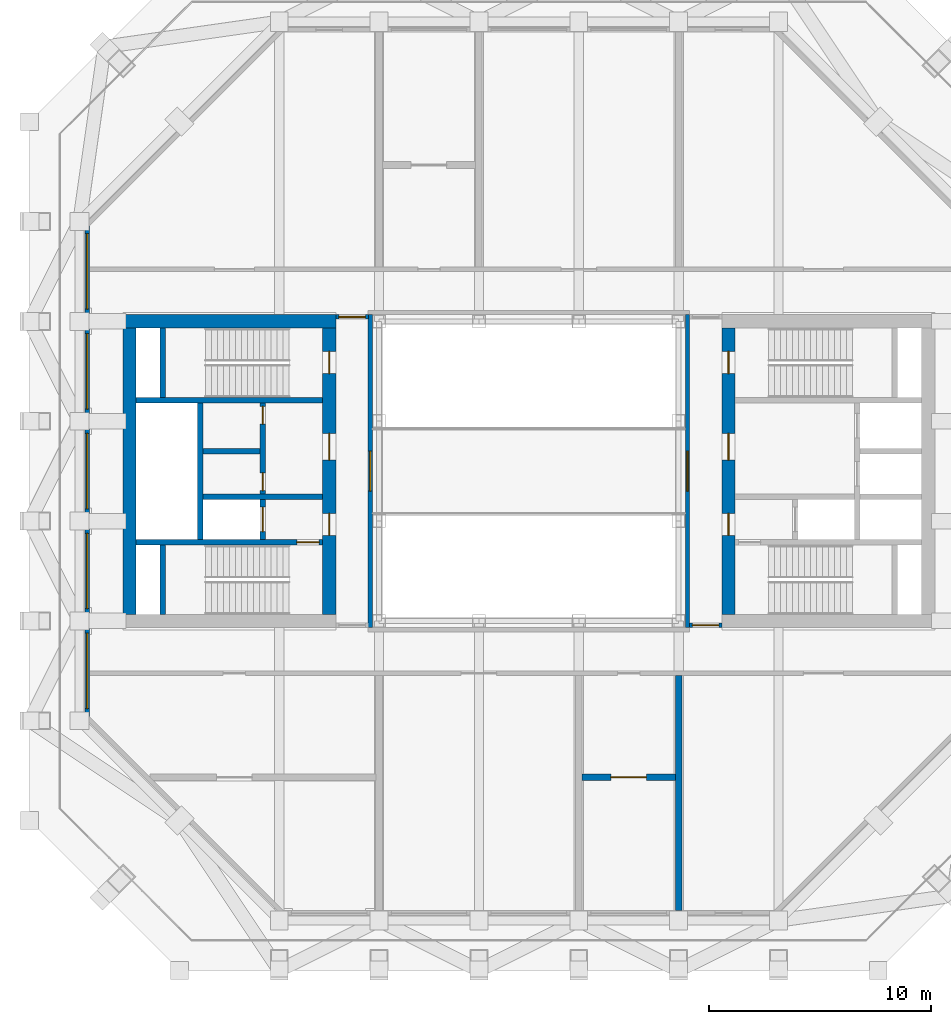
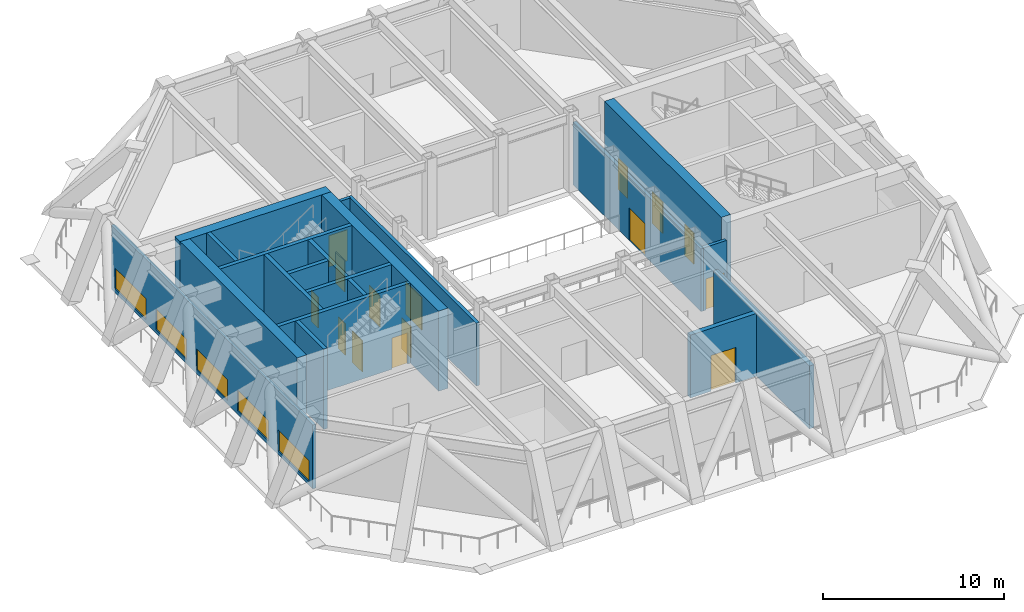
# One storey, part 3 of 8: 19 walls, 15 doors, 5 windows, 20 openings.
"""IFC4 building model written with IfcOpenShell, lengths in metres."""

import ifcopenshell
import ifcopenshell.guid

model = None  # the IFC model being written
_history = None  # IfcOwnerHistory: only IFC2X3 demands one
_inside = {}  # id of a spatial element -> (the spatial element, [elements in it])
_under = {}  # id of a project, library or spatial element -> (it, [spatial elements below it])
_declared = {}  # id of a project -> (the project, [libraries it declares])
_typed = {}  # id of a type object -> (the type object, [elements of that type])
_made_of = {}  # id of a material, layer set ... -> (it, [elements and type objects made of it])


def new_model(schema):
    """Start an empty IFC model of exactly this schema.

    Asked for "IFC4X3", IfcOpenShell would pick the latest addendum, in which some entities
    have other attributes; the version numbers below select the first issue.
    IFC2X3 requires an IfcOwnerHistory on every rooted entity: one is made here for all.
    """
    global model, _history
    if schema == "IFC4X3":
        model = ifcopenshell.file(schema_version=(4, 3, 0, 0))
    else:
        model = ifcopenshell.file(schema=schema)
    _inside.clear()
    _under.clear()
    _declared.clear()
    _typed.clear()
    _made_of.clear()
    _history = None
    if model.schema == "IFC2X3":
        org = make("IfcOrganization", Name="unknown")
        user = make(
            "IfcPersonAndOrganization",
            ThePerson=make("IfcPerson", FamilyName="unknown"),
            TheOrganization=org,
        )
        app = make(
            "IfcApplication",
            ApplicationDeveloper=org,
            Version="unknown",
            ApplicationFullName="unknown",
            ApplicationIdentifier="unknown",
        )
        _history = make(
            "IfcOwnerHistory",
            OwningUser=user,
            OwningApplication=app,
            ChangeAction="ADDED",
            CreationDate=0,
        )
    return model


def make(cls, **values):
    """One entity of the class cls with the attributes given. An attribute that is None is left unset."""
    return model.create_entity(
        cls, **{name: value for name, value in values.items() if value is not None}
    )


def rooted(cls, **values):
    """An entity with a GlobalId (a new one), such as an element, a storey or a relation."""
    return make(cls, GlobalId=ifcopenshell.guid.new(), OwnerHistory=_history, **values)


def si_unit(unit_type, name, prefix=None):
    """IfcSIUnit, for example si_unit("LENGTHUNIT", "METRE", prefix="MILLI")."""
    return make("IfcSIUnit", UnitType=unit_type, Prefix=prefix, Name=name)


def assignment(units):
    """IfcUnitAssignment: the units of a project."""
    return None if units is None else make("IfcUnitAssignment", Units=units)


def point(xyz):
    """IfcCartesianPoint."""
    return None if xyz is None else make("IfcCartesianPoint", Coordinates=xyz)


def direction(xyz):
    """IfcDirection."""
    return None if xyz is None else make("IfcDirection", DirectionRatios=xyz)


def frame(location, z_axis=None, x_axis=None):
    """IfcAxis2Placement3D, a coordinate frame: its origin and axes. An axis left out is left unset."""
    return make(
        "IfcAxis2Placement3D",
        Location=point(location),
        Axis=direction(z_axis),
        RefDirection=direction(x_axis),
    )


def frame_2d(location, x_axis=None):
    """IfcAxis2Placement2D, a coordinate frame in the plane: its origin and x axis."""
    return make(
        "IfcAxis2Placement2D", Location=point(location), RefDirection=direction(x_axis)
    )


def origin():
    """The frame at (0, 0, 0) with its axes left unset."""
    return frame((0.0, 0.0, 0.0))


def place(relative_to, where):
    """IfcLocalPlacement: puts the frame where relative to a parent placement (None: the world)."""
    return make(
        "IfcLocalPlacement", PlacementRelTo=relative_to, RelativePlacement=where
    )


def context(
    kind, dimensions, precision=None, world=None, true_north=None, identifier=None
):
    """IfcGeometricRepresentationContext, for example the 3D "Model" context."""
    return make(
        "IfcGeometricRepresentationContext",
        ContextIdentifier=identifier,
        ContextType=kind,
        CoordinateSpaceDimension=dimensions,
        Precision=precision,
        WorldCoordinateSystem=world,
        TrueNorth=true_north,
    )


def subcontext(parent, identifier, kind, view, scale=None):
    """IfcGeometricRepresentationSubContext, for example "Body" below "Model"."""
    return make(
        "IfcGeometricRepresentationSubContext",
        ContextIdentifier=identifier,
        ContextType=kind,
        ParentContext=parent,
        TargetScale=scale,
        TargetView=view,
    )


def project(units=None, contexts=None):
    """IfcProject with its units and contexts."""
    return rooted(
        "IfcProject",
        Name="project",
        RepresentationContexts=contexts,
        UnitsInContext=assignment(units),
    )


def spatial(cls, under=None, at=None, **own):
    """A site, building, storey or space (cls), placed at a placement, below another one or the project."""
    s = rooted(cls, ObjectPlacement=at, **own)
    if under is not None:
        _under.setdefault(under.id(), (under, []))[1].append(s)
    return s


def profile(cls, at=None, kind="AREA", **sizes):
    """A parametric profile (cls). Its sizes go by their IFC names, for example OverallWidth=200.0."""
    return make(cls, ProfileType=kind, Position=at, **sizes)


def rectangle(**sizes):
    """IfcRectangleProfileDef."""
    return profile("IfcRectangleProfileDef", **sizes)


def extrude(swept, where, along, depth):
    """IfcExtrudedAreaSolid: the profile swept, set in the frame where, extruded along a direction by depth."""
    return make(
        "IfcExtrudedAreaSolid",
        SweptArea=swept,
        Position=where,
        ExtrudedDirection=direction(along),
        Depth=depth,
    )


def shape(context_of_items, identifier, shape_type, items):
    """IfcShapeRepresentation: the items that make up one representation, for example the "Body"."""
    return make(
        "IfcShapeRepresentation",
        ContextOfItems=context_of_items,
        RepresentationIdentifier=identifier,
        RepresentationType=shape_type,
        Items=items,
    )


def material(Name=None, Category=None):
    """IfcMaterial."""
    return make("IfcMaterial", Name=Name, Category=Category)


def layer(
    of_material, thickness, ventilated=None, Name=None, Category=None, Priority=None
):
    """IfcMaterialLayer: one layer of a wall or slab, of a material (None: an air gap)."""
    return make(
        "IfcMaterialLayer",
        Material=of_material,
        LayerThickness=thickness,
        IsVentilated=ventilated,
        Name=Name,
        Category=Category,
        Priority=Priority,
    )


def layer_set(layers, Name=None):
    """IfcMaterialLayerSet."""
    return make("IfcMaterialLayerSet", MaterialLayers=layers, LayerSetName=Name)


def made_of(thing, what):
    """Note that an element or type object is made of a material, layer set ...; save() writes the relation."""
    if what is not None:
        _made_of.setdefault(what.id(), (what, []))[1].append(thing)
    return thing


def type_object(cls, material=None, **own):
    """A type object (cls), such as IfcWallType, which elements share."""
    return made_of(rooted(cls, **own), material)


def element(
    cls,
    number,
    at=None,
    inside=None,
    cuts=None,
    type_object=None,
    material=None,
    context=None,
    identifier="Body",
    shape_type=None,
    held_by="IfcProductDefinitionShape",
    body=None,
    shapes=None,
    **own,
):
    """One element of the class cls, such as IfcWall. Its Tag is "e" and its number.

    at: its placement. inside: the storey or other place that contains it. cuts: it is an
    opening in that element (IfcRelVoidsElement). A single representation is given by context,
    identifier, shape_type and body (its items); several are given by shapes. held_by: the class
    of the entity that holds the representations. save() writes the other relations.
    """
    e = rooted(cls, Tag="e%d" % number, ObjectPlacement=at, **own)
    if body is not None:
        shapes = [shape(context, identifier, shape_type, body)]
    if shapes is not None:
        e.Representation = make(held_by, Representations=shapes)
    if inside is not None:
        _inside.setdefault(inside.id(), (inside, []))[1].append(e)
    if cuts is not None:
        rooted(
            "IfcRelVoidsElement", RelatingBuildingElement=cuts, RelatedOpeningElement=e
        )
    if type_object is not None:
        _typed.setdefault(type_object.id(), (type_object, []))[1].append(e)
    return made_of(e, material)


def fill(opening, filler):
    """IfcRelFillsElement: the door or window that sits in an opening."""
    return rooted(
        "IfcRelFillsElement",
        RelatingOpeningElement=opening,
        RelatedBuildingElement=filler,
    )


def aggregate(whole, parts):
    """IfcRelAggregates: a whole, such as a stair, and the parts it consists of."""
    return rooted("IfcRelAggregates", RelatingObject=whole, RelatedObjects=parts)


def save(model, path):
    """Write the relations noted so far, then the file.

    IfcRelAggregates (storeys below a building ...), IfcRelContainedInSpatialStructure (elements
    in a storey), IfcRelDefinesByType, IfcRelAssociatesMaterial and IfcRelDeclares: one each for
    every whole, place, type object, material and project.
    """
    for whole, parts in _under.values():
        aggregate(whole, parts)
    for where, things in _inside.values():
        rooted(
            "IfcRelContainedInSpatialStructure",
            RelatedElements=things,
            RelatingStructure=where,
        )
    for kind, things in _typed.values():
        rooted("IfcRelDefinesByType", RelatedObjects=things, RelatingType=kind)
    for what, things in _made_of.values():
        rooted("IfcRelAssociatesMaterial", RelatedObjects=things, RelatingMaterial=what)
    for by, libraries in _declared.values():
        rooted("IfcRelDeclares", RelatingContext=by, RelatedDefinitions=libraries)
    model.write(path)


model = new_model("IFC4")

# Units and contexts
model_context = context("Model", 3, precision=1e-05, world=origin(), true_north=direction((0.0, 1.0)))
body_context = subcontext(model_context, "Body", "Model", "MODEL_VIEW")
ifc_project = project(units=[si_unit("LENGTHUNIT", "METRE"), si_unit("AREAUNIT", "SQUARE_METRE"), si_unit("VOLUMEUNIT", "CUBIC_METRE"), si_unit("PLANEANGLEUNIT", "RADIAN"), si_unit("MASSUNIT", "GRAM", prefix="KILO")], contexts=[model_context])

# Site, building, storey
site_placement = place(None, origin())
site = spatial("IfcSite", under=ifc_project, at=site_placement, CompositionType="ELEMENT")
building_placement = place(site_placement, origin())
building = spatial("IfcBuilding", under=site, at=building_placement, Name="Msasa Ring Tower", CompositionType="ELEMENT")
storey_placement = place(building_placement, frame((0.0, 0.0, 190.39990234375)))
storey = spatial("IfcBuildingStorey", under=building, at=storey_placement, Name="L50", CompositionType="ELEMENT", Elevation=190.39990234375)

# Wall, openings, doors
ifc_material_1 = material(Name="Concrete C60/75", Category="concrete")
ifc_layer_1 = layer(ifc_material_1, 0.60009765625)
ifc_layer_set_1 = layer_set([ifc_layer_1], Name="CW2 CORE WALL 600")
wall_type_1 = type_object("IfcWallType", Name="CW2 CORE WALL 600", PredefinedType="SHEAR", material=ifc_layer_set_1)
wall_1_placement = place(storey_placement, frame((9.0, -6.449951171875, 0.0), z_axis=(0.0, 0.0, 1.0), x_axis=(0.0, 1.0, 0.0)))
wall_1 = element("IfcWall", 1, at=wall_1_placement, inside=storey, type_object=wall_type_1, Name="E core wall W L50", PredefinedType="SHEAR", context=body_context, shape_type="SweptSolid", body=[
    extrude(rectangle(XDim=12.89990234375, YDim=0.60009765625, at=frame_2d((6.449951171875, 0.0))), origin(), (0.0, 0.0, 1.0), 5.400146484375),
])
opening_1_placement = place(wall_1_placement, frame((3.550048828125, 0.0, 0.0)))
opening_1 = element("IfcOpeningElement", 2, at=opening_1_placement, cuts=wall_1, Name="Opening L50-019", PredefinedType="OPENING", context=body_context, shape_type="SweptSolid", body=[
    extrude(rectangle(XDim=1.0, YDim=2.10009765625, at=frame_2d((0.5, 1.050048828125))), frame((0.0, 0.31005859375, 0.0), z_axis=(0.0, -1.0, 0.0), x_axis=(1.0, 0.0, 0.0)), (0.0, 0.0, 1.0), 0.6201171875),
])
opening_2_placement = place(wall_1_placement, frame((6.949951171875, 0.0, 0.0)))
opening_2 = element("IfcOpeningElement", 3, at=opening_2_placement, cuts=wall_1, Name="Opening L50-014", PredefinedType="OPENING", context=body_context, shape_type="SweptSolid", body=[
    extrude(rectangle(XDim=1.199951171875, YDim=2.10009765625, at=frame_2d((0.60009765625, 1.050048828125))), frame((0.0, 0.31005859375, 0.0), z_axis=(0.0, -1.0, 0.0), x_axis=(1.0, 0.0, 0.0)), (0.0, 0.0, 1.0), 0.6201171875),
])
opening_3_placement = place(wall_1_placement, frame((10.85009765625, 0.0, 0.0)))
opening_3 = element("IfcOpeningElement", 4, at=opening_3_placement, cuts=wall_1, Name="Opening L50-011", PredefinedType="OPENING", context=body_context, shape_type="SweptSolid", body=[
    extrude(rectangle(XDim=1.0, YDim=2.10009765625, at=frame_2d((0.5, 1.050048828125))), frame((0.0, 0.31005859375, 0.0), z_axis=(0.0, -1.0, 0.0), x_axis=(1.0, 0.0, 0.0)), (0.0, 0.0, 1.0), 0.6201171875),
])
ifc_material_2 = material(Name="Timber door leaf in a steel frame", Category="steel")
door_type_1 = type_object("IfcDoorType", Name="D4 LOBBY DOOR 1000x2100", OperationType="SINGLE_SWING_LEFT", PredefinedType="DOOR", material=ifc_material_2)
door_1_placement = place(opening_1_placement, origin())
door_1 = element("IfcDoor", 5, at=door_1_placement, inside=storey, type_object=door_type_1, Name="Door L50-EFFL", OperationType="SINGLE_SWING_LEFT", OverallHeight=2.10009765625, OverallWidth=1.0, PredefinedType="DOOR", context=body_context, shape_type="SweptSolid", body=[
    extrude(rectangle(XDim=1.0, YDim=2.10009765625, at=frame_2d((0.5, 1.050048828125))), frame((0.0, 0.02490234375, 0.0), z_axis=(0.0, -1.0, 0.0), x_axis=(1.0, 0.0, 0.0)), (0.0, 0.0, 1.0), 0.050048828125),
])
fill(opening_1, door_1)
ifc_material_3 = material(Name="Timber door leaf in a steel frame", Category="steel")
door_type_2 = type_object("IfcDoorType", Name="D5 WIDE LOBBY DOOR 1200x2100", OperationType="SINGLE_SWING_LEFT", PredefinedType="DOOR", material=ifc_material_3)
door_2_placement = place(opening_2_placement, origin())
door_2 = element("IfcDoor", 6, at=door_2_placement, inside=storey, type_object=door_type_2, Name="Door L50-ELL", OperationType="SINGLE_SWING_RIGHT", OverallHeight=2.10009765625, OverallWidth=1.199951171875, PredefinedType="DOOR", context=body_context, shape_type="SweptSolid", body=[
    extrude(rectangle(XDim=1.199951171875, YDim=2.10009765625, at=frame_2d((0.60009765625, 1.050048828125))), frame((0.0, 0.02490234375, 0.0), z_axis=(0.0, -1.0, 0.0), x_axis=(1.0, 0.0, 0.0)), (0.0, 0.0, 1.0), 0.050048828125),
])
fill(opening_2, door_2)
ifc_material_4 = material(Name="Timber door leaf in a steel frame", Category="steel")
door_type_3 = type_object("IfcDoorType", Name="D6 STAIR DOOR 1000x2100", OperationType="SINGLE_SWING_LEFT", PredefinedType="DOOR", material=ifc_material_4)
door_3_placement = place(opening_3_placement, origin())
door_3 = element("IfcDoor", 7, at=door_3_placement, inside=storey, type_object=door_type_3, Name="Door L50-ESTB", OperationType="SINGLE_SWING_RIGHT", OverallHeight=2.10009765625, OverallWidth=1.0, PredefinedType="DOOR", context=body_context, shape_type="SweptSolid", body=[
    extrude(rectangle(XDim=1.0, YDim=2.10009765625, at=frame_2d((0.5, 1.050048828125))), frame((0.0, 0.02490234375, 0.0), z_axis=(0.0, -1.0, 0.0), x_axis=(1.0, 0.0, 0.0)), (0.0, 0.0, 1.0), 0.050048828125),
])
fill(opening_3, door_3)

# Wall
wall_2_placement = place(storey_placement, frame((-8.699951171875, 6.75, 0.0), z_axis=(0.0, 0.0, 1.0), x_axis=(-1.0, 0.0, 0.0)))
element("IfcWall", 8, at=wall_2_placement, inside=storey, type_object=wall_type_1, Name="W core wall N L50", PredefinedType="SHEAR", context=body_context, shape_type="SweptSolid", body=[
    extrude(rectangle(XDim=9.60009765625, YDim=0.60009765625, at=frame_2d((4.800048828125, 0.0))), origin(), (0.0, 0.0, 1.0), 5.400146484375),
])

# Wall, openings, doors
wall_3_placement = place(storey_placement, frame((-9.0, -6.449951171875, 0.0), z_axis=(0.0, 0.0, 1.0), x_axis=(0.0, 1.0, 0.0)))
wall_3 = element("IfcWall", 9, at=wall_3_placement, inside=storey, type_object=wall_type_1, Name="W core wall W L50", PredefinedType="SHEAR", context=body_context, shape_type="SweptSolid", body=[
    extrude(rectangle(XDim=12.89990234375, YDim=0.60009765625, at=frame_2d((6.449951171875, 0.0))), origin(), (0.0, 0.0, 1.0), 5.400146484375),
])
opening_4_placement = place(wall_3_placement, frame((3.550048828125, 0.0, 0.0)))
opening_4 = element("IfcOpeningElement", 10, at=opening_4_placement, cuts=wall_3, Name="Opening L50-018", PredefinedType="OPENING", context=body_context, shape_type="SweptSolid", body=[
    extrude(rectangle(XDim=1.0, YDim=2.10009765625, at=frame_2d((0.5, 1.050048828125))), frame((0.0, 0.31005859375, 0.0), z_axis=(0.0, -1.0, 0.0), x_axis=(1.0, 0.0, 0.0)), (0.0, 0.0, 1.0), 0.6201171875),
])
opening_5_placement = place(wall_3_placement, frame((6.949951171875, 0.0, 0.0)))
opening_5 = element("IfcOpeningElement", 11, at=opening_5_placement, cuts=wall_3, Name="Opening L50-013", PredefinedType="OPENING", context=body_context, shape_type="SweptSolid", body=[
    extrude(rectangle(XDim=1.199951171875, YDim=2.10009765625, at=frame_2d((0.60009765625, 1.050048828125))), frame((0.0, 0.31005859375, 0.0), z_axis=(0.0, -1.0, 0.0), x_axis=(1.0, 0.0, 0.0)), (0.0, 0.0, 1.0), 0.6201171875),
])
opening_6_placement = place(wall_3_placement, frame((10.85009765625, 0.0, 0.0)))
opening_6 = element("IfcOpeningElement", 12, at=opening_6_placement, cuts=wall_3, Name="Opening L50-010", PredefinedType="OPENING", context=body_context, shape_type="SweptSolid", body=[
    extrude(rectangle(XDim=1.0, YDim=2.10009765625, at=frame_2d((0.5, 1.050048828125))), frame((0.0, 0.31005859375, 0.0), z_axis=(0.0, -1.0, 0.0), x_axis=(1.0, 0.0, 0.0)), (0.0, 0.0, 1.0), 0.6201171875),
])
door_4_placement = place(opening_4_placement, origin())
door_4 = element("IfcDoor", 13, at=door_4_placement, inside=storey, type_object=door_type_1, Name="Door L50-WFFL", OperationType="SINGLE_SWING_LEFT", OverallHeight=2.10009765625, OverallWidth=1.0, PredefinedType="DOOR", context=body_context, shape_type="SweptSolid", body=[
    extrude(rectangle(XDim=1.0, YDim=2.10009765625, at=frame_2d((0.5, 1.050048828125))), frame((0.0, 0.02490234375, 0.0), z_axis=(0.0, -1.0, 0.0), x_axis=(1.0, 0.0, 0.0)), (0.0, 0.0, 1.0), 0.050048828125),
])
fill(opening_4, door_4)
door_5_placement = place(opening_5_placement, origin())
door_5 = element("IfcDoor", 14, at=door_5_placement, inside=storey, type_object=door_type_2, Name="Door L50-WLL", OperationType="SINGLE_SWING_RIGHT", OverallHeight=2.10009765625, OverallWidth=1.199951171875, PredefinedType="DOOR", context=body_context, shape_type="SweptSolid", body=[
    extrude(rectangle(XDim=1.199951171875, YDim=2.10009765625, at=frame_2d((0.60009765625, 1.050048828125))), frame((0.0, 0.02490234375, 0.0), z_axis=(0.0, -1.0, 0.0), x_axis=(1.0, 0.0, 0.0)), (0.0, 0.0, 1.0), 0.050048828125),
])
fill(opening_5, door_5)
door_6_placement = place(opening_6_placement, origin())
door_6 = element("IfcDoor", 15, at=door_6_placement, inside=storey, type_object=door_type_3, Name="Door L50-WSTB", OperationType="SINGLE_SWING_RIGHT", OverallHeight=2.10009765625, OverallWidth=1.0, PredefinedType="DOOR", context=body_context, shape_type="SweptSolid", body=[
    extrude(rectangle(XDim=1.0, YDim=2.10009765625, at=frame_2d((0.5, 1.050048828125))), frame((0.0, 0.02490234375, 0.0), z_axis=(0.0, -1.0, 0.0), x_axis=(1.0, 0.0, 0.0)), (0.0, 0.0, 1.0), 0.050048828125),
])
fill(opening_6, door_6)

# Wall
wall_4_placement = place(storey_placement, frame((-18.0, -6.449951171875, 0.0), z_axis=(0.0, 0.0, 1.0), x_axis=(0.0, 1.0, 0.0)))
element("IfcWall", 16, at=wall_4_placement, inside=storey, type_object=wall_type_1, Name="W core wall E L50", PredefinedType="SHEAR", context=body_context, shape_type="SweptSolid", body=[
    extrude(rectangle(XDim=12.89990234375, YDim=0.60009765625, at=frame_2d((6.449951171875, 0.0))), origin(), (0.0, 0.0, 1.0), 5.400146484375),
])

# Wall, opening, door
ifc_material_5 = material(Name="Concrete C60/75", Category="concrete")
ifc_layer_2 = layer(ifc_material_5, 0.25)
ifc_layer_set_2 = layer_set([ifc_layer_2], Name="CW4 CORE INNER WALL 250")
wall_type_2 = type_object("IfcWallType", Name="CW4 CORE INNER WALL 250", PredefinedType="SHEAR", material=ifc_layer_set_2)
wall_5_placement = place(storey_placement, frame((-9.300048828125, -3.199951171875, 0.0), z_axis=(0.0, 0.0, 1.0), x_axis=(-1.0, 0.0, 0.0)))
wall_5 = element("IfcWall", 17, at=wall_5_placement, inside=storey, type_object=wall_type_2, Name="W core wall STAIRA L50", PredefinedType="SHEAR", context=body_context, shape_type="SweptSolid", body=[
    extrude(rectangle(XDim=8.39990234375, YDim=0.25, at=frame_2d((4.199951171875, 0.0))), origin(), (0.0, 0.0, 1.0), 5.400146484375),
])
opening_7_placement = place(wall_5_placement, frame((0.14990234375, 0.0, 0.0)))
opening_7 = element("IfcOpeningElement", 18, at=opening_7_placement, cuts=wall_5, Name="Opening L50-020", PredefinedType="OPENING", context=body_context, shape_type="SweptSolid", body=[
    extrude(rectangle(XDim=1.0, YDim=2.10009765625, at=frame_2d((0.5, 1.050048828125))), frame((0.0, 0.135009765625, 0.0), z_axis=(0.0, -1.0, 0.0), x_axis=(1.0, 0.0, 0.0)), (0.0, 0.0, 1.0), 0.27001953125),
])
door_7_placement = place(opening_7_placement, origin())
door_7 = element("IfcDoor", 19, at=door_7_placement, inside=storey, type_object=door_type_3, Name="Door L50-WSTA", OperationType="SINGLE_SWING_LEFT", OverallHeight=2.10009765625, OverallWidth=1.0, PredefinedType="DOOR", context=body_context, shape_type="SweptSolid", body=[
    extrude(rectangle(XDim=1.0, YDim=2.10009765625, at=frame_2d((0.5, 1.050048828125))), frame((0.0, 0.02490234375, 0.0), z_axis=(0.0, -1.0, 0.0), x_axis=(1.0, 0.0, 0.0)), (0.0, 0.0, 1.0), 0.050048828125),
])
fill(opening_7, door_7)

# Walls
wall_6_placement = place(storey_placement, frame((-9.300048828125, 3.199951171875, 0.0), z_axis=(0.0, 0.0, 1.0), x_axis=(-1.0, 0.0, 0.0)))
element("IfcWall", 20, at=wall_6_placement, inside=storey, type_object=wall_type_2, Name="W core wall STAIRB L50", PredefinedType="SHEAR", context=body_context, shape_type="SweptSolid", body=[
    extrude(rectangle(XDim=8.39990234375, YDim=0.25, at=frame_2d((4.199951171875, 0.0))), origin(), (0.0, 0.0, 1.0), 5.400146484375),
])
for number, where, z_axis, x_axis, name in (
    (21, (-16.5, -6.449951171875, 0.0), (0.0, 0.0, 1.0), (0.0, 1.0, 0.0), "W core wall RISERA L50"),
    (22, (-16.5, 3.324951171875, 0.0), (0.0, 0.0, 1.0), (0.0, 1.0, 0.0), "W core wall RISERB L50"),
):
    element("IfcWall", number, at=place(storey_placement, frame(where, z_axis=z_axis, x_axis=x_axis)), inside=storey, type_object=wall_type_2, Name=name, PredefinedType="SHEAR", context=body_context, shape_type="SweptSolid", body=[
        extrude(rectangle(XDim=3.125, YDim=0.25, at=frame_2d((1.5625, 0.0))), origin(), (0.0, 0.0, 1.0), 5.400146484375),
    ])
wall_7_placement = place(storey_placement, frame((-9.300048828125, -1.14990234375, 0.0), z_axis=(0.0, 0.0, 1.0), x_axis=(-1.0, 0.0, 0.0)))
element("IfcWall", 23, at=wall_7_placement, inside=storey, type_object=wall_type_2, Name="W core wall FFL L50", PredefinedType="SHEAR", context=body_context, shape_type="SweptSolid", body=[
    extrude(rectangle(XDim=5.375, YDim=0.25, at=frame_2d((2.6875, 0.0))), origin(), (0.0, 0.0, 1.0), 5.400146484375),
])

# Wall, openings, doors
wall_8_placement = place(storey_placement, frame((-12.0, -3.074951171875, 0.0), z_axis=(0.0, 0.0, 1.0), x_axis=(0.0, 1.0, 0.0)))
wall_8 = element("IfcWall", 24, at=wall_8_placement, inside=storey, type_object=wall_type_2, Name="W core wall LOBBY L50", PredefinedType="SHEAR", context=body_context, shape_type="SweptSolid", body=[
    extrude(rectangle(XDim=6.14990234375, YDim=0.25, at=frame_2d((3.074951171875, 0.0))), origin(), (0.0, 0.0, 1.0), 5.400146484375),
])
opening_8_placement = place(wall_8_placement, frame((2.199951171875, 0.0, 0.0)))
opening_8 = element("IfcOpeningElement", 25, at=opening_8_placement, cuts=wall_8, Name="Opening L50-017", PredefinedType="OPENING", context=body_context, shape_type="SweptSolid", body=[
    extrude(rectangle(XDim=0.800048828125, YDim=2.10009765625, at=frame_2d((0.39990234375, 1.050048828125))), frame((0.0, 0.135009765625, 0.0), z_axis=(0.0, -1.0, 0.0), x_axis=(1.0, 0.0, 0.0)), (0.0, 0.0, 1.0), 0.27001953125),
])
opening_9_placement = place(wall_8_placement, frame((5.199951171875, 0.0, 0.0)))
opening_9 = element("IfcOpeningElement", 26, at=opening_9_placement, cuts=wall_8, Name="Opening L50-012", PredefinedType="OPENING", context=body_context, shape_type="SweptSolid", body=[
    extrude(rectangle(XDim=0.800048828125, YDim=2.10009765625, at=frame_2d((0.39990234375, 1.050048828125))), frame((0.0, 0.135009765625, 0.0), z_axis=(0.0, -1.0, 0.0), x_axis=(1.0, 0.0, 0.0)), (0.0, 0.0, 1.0), 0.27001953125),
])
opening_10_placement = place(wall_8_placement, frame((0.35009765625, 0.0, 0.0)))
opening_10 = element("IfcOpeningElement", 27, at=opening_10_placement, cuts=wall_8, Name="Opening LD1", PredefinedType="OPENING", context=body_context, shape_type="SweptSolid", body=[
    extrude(rectangle(XDim=1.10009765625, YDim=2.10009765625, at=frame_2d((0.550048828125, 1.050048828125))), frame((0.0, 0.135009765625, 0.0), z_axis=(0.0, -1.0, 0.0), x_axis=(1.0, 0.0, 0.0)), (0.0, 0.0, 1.0), 0.27001953125),
])
ifc_material_6 = material(Name="Timber door leaf in a steel frame", Category="steel")
door_type_4 = type_object("IfcDoorType", Name="D9 NARROW SERVICE DOOR 800x2100", OperationType="SINGLE_SWING_LEFT", PredefinedType="DOOR", material=ifc_material_6)
door_8_placement = place(opening_8_placement, origin())
door_8 = element("IfcDoor", 28, at=door_8_placement, inside=storey, type_object=door_type_4, Name="Door L50-WR1", OperationType="SINGLE_SWING_LEFT", OverallHeight=2.10009765625, OverallWidth=0.800048828125, PredefinedType="DOOR", context=body_context, shape_type="SweptSolid", body=[
    extrude(rectangle(XDim=0.800048828125, YDim=2.10009765625, at=frame_2d((0.39990234375, 1.050048828125))), frame((0.0, 0.02490234375, 0.0), z_axis=(0.0, -1.0, 0.0), x_axis=(1.0, 0.0, 0.0)), (0.0, 0.0, 1.0), 0.050048828125),
])
fill(opening_8, door_8)
door_9_placement = place(opening_9_placement, origin())
door_9 = element("IfcDoor", 29, at=door_9_placement, inside=storey, type_object=door_type_4, Name="Door L50-WR2", OperationType="SINGLE_SWING_RIGHT", OverallHeight=2.10009765625, OverallWidth=0.800048828125, PredefinedType="DOOR", context=body_context, shape_type="SweptSolid", body=[
    extrude(rectangle(XDim=0.800048828125, YDim=2.10009765625, at=frame_2d((0.39990234375, 1.050048828125))), frame((0.0, 0.02490234375, 0.0), z_axis=(0.0, -1.0, 0.0), x_axis=(1.0, 0.0, 0.0)), (0.0, 0.0, 1.0), 0.050048828125),
])
fill(opening_9, door_9)
ifc_material_7 = material(Name="Stainless steel lift landing door", Category="steel")
door_type_5 = type_object("IfcDoorType", Name="LD1 LIFT LANDING DOOR 1100x2100", OperationType="DOUBLE_DOOR_SLIDING", PredefinedType="DOOR", material=ifc_material_7)
door_10_placement = place(opening_10_placement, origin())
door_10 = element("IfcDoor", 30, at=door_10_placement, inside=storey, type_object=door_type_5, Name="Lift landing door FL-W L50", OperationType="DOUBLE_DOOR_SLIDING", OverallHeight=2.10009765625, OverallWidth=1.10009765625, PredefinedType="DOOR", context=body_context, shape_type="SweptSolid", body=[
    extrude(rectangle(XDim=1.10009765625, YDim=2.10009765625, at=frame_2d((0.550048828125, 1.050048828125))), frame((0.0, 0.02490234375, 0.0), z_axis=(0.0, -1.0, 0.0), x_axis=(1.0, 0.0, 0.0)), (0.0, 0.0, 1.0), 0.050048828125),
])
fill(opening_10, door_10)

# Walls
wall_9_placement = place(storey_placement, frame((-14.800048828125, -3.074951171875, 0.0), z_axis=(0.0, 0.0, 1.0), x_axis=(0.0, 1.0, 0.0)))
element("IfcWall", 31, at=wall_9_placement, inside=storey, type_object=wall_type_2, Name="W core wall SHAFT L50", PredefinedType="SHEAR", context=body_context, shape_type="SweptSolid", body=[
    extrude(rectangle(XDim=6.14990234375, YDim=0.25, at=frame_2d((3.074951171875, 0.0))), origin(), (0.0, 0.0, 1.0), 5.400146484375),
])
wall_10_placement = place(storey_placement, frame((-12.125, 0.89990234375, 0.0), z_axis=(0.0, 0.0, 1.0), x_axis=(-1.0, 0.0, 0.0)))
element("IfcWall", 32, at=wall_10_placement, inside=storey, type_object=wall_type_2, Name="W core wall LIFT1 L50", PredefinedType="SHEAR", context=body_context, shape_type="SweptSolid", body=[
    extrude(rectangle(XDim=2.550048828125, YDim=0.25, at=frame_2d((1.27490234375, 0.0))), origin(), (0.0, 0.0, 1.0), 5.400146484375),
])

# Wall, openings, windows
ifc_material_8 = material(Name="Terracotta rainscreen on blockwork", Category="masonry")
ifc_layer_3 = layer(ifc_material_8, 0.199951171875)
ifc_layer_set_3 = layer_set([ifc_layer_3], Name="FW3 PLANT FLOOR WALL 200")
wall_type_3 = type_object("IfcWallType", Name="FW3 PLANT FLOOR WALL 200", PredefinedType="SOLIDWALL", material=ifc_layer_set_3)
wall_11_placement = place(storey_placement, frame((-19.89990234375, -11.10498046875, 0.0), z_axis=(0.0, 0.0, 1.0), x_axis=(0.0, 1.0, 0.0)))
wall_11 = element("IfcWall", 33, at=wall_11_placement, inside=storey, type_object=wall_type_3, Name="Plant floor wall W L50", PredefinedType="SOLIDWALL", context=body_context, shape_type="SweptSolid", body=[
    extrude(rectangle(XDim=22.2099609375, YDim=0.199951171875, at=frame_2d((11.10498046875, 0.0))), origin(), (0.0, 0.0, 1.0), 4.29931640625),
])
opening_11_placement = place(wall_11_placement, frame((0.405029296875, 0.0, 0.25)))
opening_11 = element("IfcOpeningElement", 34, at=opening_11_placement, cuts=wall_11, Name="Opening LV1", PredefinedType="OPENING", context=body_context, shape_type="SweptSolid", body=[
    extrude(rectangle(XDim=3.39990234375, YDim=1.39990234375, at=frame_2d((1.699951171875, 0.699951171875))), frame((0.0, 0.10986328125, 0.0), z_axis=(0.0, -1.0, 0.0), x_axis=(1.0, 0.0, 0.0)), (0.0, 0.0, 1.0), 0.219970703125),
])
opening_12_placement = place(wall_11_placement, frame((4.905029296875, 0.0, 0.25)))
opening_12 = element("IfcOpeningElement", 35, at=opening_12_placement, cuts=wall_11, Name="Opening LV1", PredefinedType="OPENING", context=body_context, shape_type="SweptSolid", body=[
    extrude(rectangle(XDim=3.39990234375, YDim=1.39990234375, at=frame_2d((1.699951171875, 0.699951171875))), frame((0.0, 0.10986328125, 0.0), z_axis=(0.0, -1.0, 0.0), x_axis=(1.0, 0.0, 0.0)), (0.0, 0.0, 1.0), 0.219970703125),
])
opening_13_placement = place(wall_11_placement, frame((9.405029296875, 0.0, 0.25)))
opening_13 = element("IfcOpeningElement", 36, at=opening_13_placement, cuts=wall_11, Name="Opening LV1", PredefinedType="OPENING", context=body_context, shape_type="SweptSolid", body=[
    extrude(rectangle(XDim=3.39990234375, YDim=1.39990234375, at=frame_2d((1.699951171875, 0.699951171875))), frame((0.0, 0.10986328125, 0.0), z_axis=(0.0, -1.0, 0.0), x_axis=(1.0, 0.0, 0.0)), (0.0, 0.0, 1.0), 0.219970703125),
])
opening_14_placement = place(wall_11_placement, frame((13.905029296875, 0.0, 0.25)))
opening_14 = element("IfcOpeningElement", 37, at=opening_14_placement, cuts=wall_11, Name="Opening LV1", PredefinedType="OPENING", context=body_context, shape_type="SweptSolid", body=[
    extrude(rectangle(XDim=3.39990234375, YDim=1.39990234375, at=frame_2d((1.699951171875, 0.699951171875))), frame((0.0, 0.10986328125, 0.0), z_axis=(0.0, -1.0, 0.0), x_axis=(1.0, 0.0, 0.0)), (0.0, 0.0, 1.0), 0.219970703125),
])
opening_15_placement = place(wall_11_placement, frame((18.405029296875, 0.0, 0.25)))
opening_15 = element("IfcOpeningElement", 38, at=opening_15_placement, cuts=wall_11, Name="Opening LV1", PredefinedType="OPENING", context=body_context, shape_type="SweptSolid", body=[
    extrude(rectangle(XDim=3.39990234375, YDim=1.39990234375, at=frame_2d((1.699951171875, 0.699951171875))), frame((0.0, 0.10986328125, 0.0), z_axis=(0.0, -1.0, 0.0), x_axis=(1.0, 0.0, 0.0)), (0.0, 0.0, 1.0), 0.219970703125),
])
ifc_material_9 = material(Name="Aluminium weather louvre", Category="aluminium")
window_type = type_object("IfcWindowType", Name="LV1 PLANT LOUVRE 3400x1400", PartitioningType="SINGLE_PANEL", PredefinedType="USERDEFINED", material=ifc_material_9)
window_1_placement = place(opening_11_placement, origin())
window_1 = element("IfcWindow", 39, at=window_1_placement, inside=storey, type_object=window_type, Name="Plant louvre W L50 00", ObjectType="LOUVRE", OverallHeight=1.39990234375, OverallWidth=3.39990234375, PartitioningType="SINGLE_PANEL", PredefinedType="USERDEFINED", context=body_context, shape_type="SweptSolid", body=[
    extrude(rectangle(XDim=3.39990234375, YDim=1.39990234375, at=frame_2d((1.699951171875, 0.699951171875))), frame((0.0, 0.030029296875, 0.0), z_axis=(0.0, -1.0, 0.0), x_axis=(1.0, 0.0, 0.0)), (0.0, 0.0, 1.0), 0.06005859375),
])
fill(opening_11, window_1)
window_2_placement = place(opening_12_placement, origin())
window_2 = element("IfcWindow", 40, at=window_2_placement, inside=storey, type_object=window_type, Name="Plant louvre W L50 01", ObjectType="LOUVRE", OverallHeight=1.39990234375, OverallWidth=3.39990234375, PartitioningType="SINGLE_PANEL", PredefinedType="USERDEFINED", context=body_context, shape_type="SweptSolid", body=[
    extrude(rectangle(XDim=3.39990234375, YDim=1.39990234375, at=frame_2d((1.699951171875, 0.699951171875))), frame((0.0, 0.030029296875, 0.0), z_axis=(0.0, -1.0, 0.0), x_axis=(1.0, 0.0, 0.0)), (0.0, 0.0, 1.0), 0.06005859375),
])
fill(opening_12, window_2)
window_3_placement = place(opening_13_placement, origin())
window_3 = element("IfcWindow", 41, at=window_3_placement, inside=storey, type_object=window_type, Name="Plant louvre W L50 02", ObjectType="LOUVRE", OverallHeight=1.39990234375, OverallWidth=3.39990234375, PartitioningType="SINGLE_PANEL", PredefinedType="USERDEFINED", context=body_context, shape_type="SweptSolid", body=[
    extrude(rectangle(XDim=3.39990234375, YDim=1.39990234375, at=frame_2d((1.699951171875, 0.699951171875))), frame((0.0, 0.030029296875, 0.0), z_axis=(0.0, -1.0, 0.0), x_axis=(1.0, 0.0, 0.0)), (0.0, 0.0, 1.0), 0.06005859375),
])
fill(opening_13, window_3)
window_4_placement = place(opening_14_placement, origin())
window_4 = element("IfcWindow", 42, at=window_4_placement, inside=storey, type_object=window_type, Name="Plant louvre W L50 03", ObjectType="LOUVRE", OverallHeight=1.39990234375, OverallWidth=3.39990234375, PartitioningType="SINGLE_PANEL", PredefinedType="USERDEFINED", context=body_context, shape_type="SweptSolid", body=[
    extrude(rectangle(XDim=3.39990234375, YDim=1.39990234375, at=frame_2d((1.699951171875, 0.699951171875))), frame((0.0, 0.030029296875, 0.0), z_axis=(0.0, -1.0, 0.0), x_axis=(1.0, 0.0, 0.0)), (0.0, 0.0, 1.0), 0.06005859375),
])
fill(opening_14, window_4)
window_5_placement = place(opening_15_placement, origin())
window_5 = element("IfcWindow", 43, at=window_5_placement, inside=storey, type_object=window_type, Name="Plant louvre W L50 04", ObjectType="LOUVRE", OverallHeight=1.39990234375, OverallWidth=3.39990234375, PartitioningType="SINGLE_PANEL", PredefinedType="USERDEFINED", context=body_context, shape_type="SweptSolid", body=[
    extrude(rectangle(XDim=3.39990234375, YDim=1.39990234375, at=frame_2d((1.699951171875, 0.699951171875))), frame((0.0, 0.030029296875, 0.0), z_axis=(0.0, -1.0, 0.0), x_axis=(1.0, 0.0, 0.0)), (0.0, 0.0, 1.0), 0.06005859375),
])
fill(opening_15, window_5)

# Wall, opening, door
ifc_material_10 = material(Name="Terracotta rainscreen on blockwork", Category="masonry")
ifc_layer_4 = layer(ifc_material_10, 0.199951171875)
ifc_layer_set_4 = layer_set([ifc_layer_4], Name="FW4 LIGHT WELL WALL 200")
wall_type_4 = type_object("IfcWallType", Name="FW4 LIGHT WELL WALL 200", PredefinedType="SOLIDWALL", material=ifc_layer_set_4)
wall_12_placement = place(storey_placement, frame((7.14990234375, -7.050048828125, 0.0), z_axis=(0.0, 0.0, 1.0), x_axis=(0.0, 1.0, 0.0)))
wall_12 = element("IfcWall", 44, at=wall_12_placement, inside=storey, type_object=wall_type_4, Name="Light well wall E L50", PredefinedType="SOLIDWALL", context=body_context, shape_type="SweptSolid", body=[
    extrude(rectangle(XDim=14.10009765625, YDim=0.199951171875, at=frame_2d((7.050048828125, 0.0))), origin(), (0.0, 0.0, 1.0), 4.22900390625),
])
opening_16_placement = place(wall_12_placement, frame((6.14990234375, 0.0, 0.0)))
opening_16 = element("IfcOpeningElement", 45, at=opening_16_placement, cuts=wall_12, Name="Opening L50-016", PredefinedType="OPENING", context=body_context, shape_type="SweptSolid", body=[
    extrude(rectangle(XDim=1.800048828125, YDim=2.199951171875, at=frame_2d((0.89990234375, 1.10009765625))), frame((0.0, 0.10986328125, 0.0), z_axis=(0.0, -1.0, 0.0), x_axis=(1.0, 0.0, 0.0)), (0.0, 0.0, 1.0), 0.219970703125),
])
ifc_material_11 = material(Name="Aluminium frame with clear glass", Category="aluminium")
door_type_6 = type_object("IfcDoorType", Name="ED4 BRIDGE DOOR 1800x2200", OperationType="DOUBLE_DOOR_SINGLE_SWING", PredefinedType="DOOR", material=ifc_material_11)
door_11_placement = place(opening_16_placement, origin())
door_11 = element("IfcDoor", 46, at=door_11_placement, inside=storey, type_object=door_type_6, Name="Well bridge door E L50", OperationType="DOUBLE_DOOR_SINGLE_SWING", OverallHeight=2.199951171875, OverallWidth=1.800048828125, PredefinedType="DOOR", context=body_context, shape_type="SweptSolid", body=[
    extrude(rectangle(XDim=1.800048828125, YDim=2.199951171875, at=frame_2d((0.89990234375, 1.10009765625))), frame((0.0, 0.02490234375, 0.0), z_axis=(0.0, -1.0, 0.0), x_axis=(1.0, 0.0, 0.0)), (0.0, 0.0, 1.0), 0.050048828125),
])
fill(opening_16, door_11)

wall_13_placement = place(storey_placement, frame((-7.14990234375, -7.050048828125, 0.0), z_axis=(0.0, 0.0, 1.0), x_axis=(0.0, 1.0, 0.0)))
wall_13 = element("IfcWall", 47, at=wall_13_placement, inside=storey, type_object=wall_type_4, Name="Light well wall W L50", PredefinedType="SOLIDWALL", context=body_context, shape_type="SweptSolid", body=[
    extrude(rectangle(XDim=14.10009765625, YDim=0.199951171875, at=frame_2d((7.050048828125, 0.0))), origin(), (0.0, 0.0, 1.0), 4.22900390625),
])
opening_17_placement = place(wall_13_placement, frame((6.14990234375, 0.0, 0.0)))
opening_17 = element("IfcOpeningElement", 48, at=opening_17_placement, cuts=wall_13, Name="Opening L50-015", PredefinedType="OPENING", context=body_context, shape_type="SweptSolid", body=[
    extrude(rectangle(XDim=1.800048828125, YDim=2.199951171875, at=frame_2d((0.89990234375, 1.10009765625))), frame((0.0, 0.10986328125, 0.0), z_axis=(0.0, -1.0, 0.0), x_axis=(1.0, 0.0, 0.0)), (0.0, 0.0, 1.0), 0.219970703125),
])
ifc_material_12 = material(Name="Aluminium frame with clear glass", Category="aluminium")
door_type_7 = type_object("IfcDoorType", Name="ED12 SLIDING BRIDGE DOOR 1800x2200", OperationType="DOUBLE_DOOR_SLIDING", PredefinedType="DOOR", material=ifc_material_12)
door_12_placement = place(opening_17_placement, origin())
door_12 = element("IfcDoor", 49, at=door_12_placement, inside=storey, type_object=door_type_7, Name="Well bridge door W L50", OperationType="DOUBLE_DOOR_SLIDING", OverallHeight=2.199951171875, OverallWidth=1.800048828125, PredefinedType="DOOR", context=body_context, shape_type="SweptSolid", body=[
    extrude(rectangle(XDim=1.800048828125, YDim=2.199951171875, at=frame_2d((0.89990234375, 1.10009765625))), frame((0.0, 0.02490234375, 0.0), z_axis=(0.0, -1.0, 0.0), x_axis=(1.0, 0.0, 0.0)), (0.0, 0.0, 1.0), 0.050048828125),
])
fill(opening_17, door_12)

ifc_material_13 = material(Name="Concrete blockwork", Category="masonry")
ifc_layer_5 = layer(ifc_material_13, 0.199951171875)
ifc_layer_set_5 = layer_set([ifc_layer_5], Name="PT1 CORRIDOR WALL 200")
wall_type_5 = type_object("IfcWallType", Name="PT1 CORRIDOR WALL 200", PredefinedType="PARTITIONING", material=ifc_layer_set_5)
wall_14_placement = place(storey_placement, frame((7.22998046875, -6.949951171875, 0.0), z_axis=(0.0, 0.0, 1.0), x_axis=(1.0, 0.0, 0.0)))
wall_14 = element("IfcWall", 50, at=wall_14_placement, inside=storey, type_object=wall_type_5, Name="Corridor wall L50-SDES", PredefinedType="PARTITIONING", context=body_context, shape_type="SweptSolid", body=[
    extrude(rectangle(XDim=1.469970703125, YDim=0.199951171875, at=frame_2d((0.73486328125, 0.0))), origin(), (0.0, 0.0, 1.0), 4.22900390625),
])
opening_18_placement = place(wall_14_placement, frame((0.135009765625, 0.0, 0.0)))
opening_18 = element("IfcOpeningElement", 51, at=opening_18_placement, cuts=wall_14, Name="Opening L50-023", PredefinedType="OPENING", context=body_context, shape_type="SweptSolid", body=[
    extrude(rectangle(XDim=1.199951171875, YDim=2.10009765625, at=frame_2d((0.60009765625, 1.050048828125))), frame((0.0, 0.10986328125, 0.0), z_axis=(0.0, -1.0, 0.0), x_axis=(1.0, 0.0, 0.0)), (0.0, 0.0, 1.0), 0.219970703125),
])
ifc_material_14 = material(Name="Timber door leaf in a steel frame", Category="steel")
door_type_8 = type_object("IfcDoorType", Name="D25 CORRIDOR PAIR OF SMOKE DOORS 1200x2100", OperationType="DOUBLE_DOOR_DOUBLE_SWING", PredefinedType="DOOR", material=ifc_material_14)
door_13_placement = place(opening_18_placement, origin())
door_13 = element("IfcDoor", 52, at=door_13_placement, inside=storey, type_object=door_type_8, Name="Door L50-SDES", OperationType="DOUBLE_DOOR_DOUBLE_SWING", OverallHeight=2.10009765625, OverallWidth=1.199951171875, PredefinedType="DOOR", context=body_context, shape_type="SweptSolid", body=[
    extrude(rectangle(XDim=1.199951171875, YDim=2.10009765625, at=frame_2d((0.60009765625, 1.050048828125))), frame((0.0, 0.02490234375, 0.0), z_axis=(0.0, -1.0, 0.0), x_axis=(1.0, 0.0, 0.0)), (0.0, 0.0, 1.0), 0.050048828125),
])
fill(opening_18, door_13)

wall_15_placement = place(storey_placement, frame((-8.699951171875, 6.949951171875, 0.0), z_axis=(0.0, 0.0, 1.0), x_axis=(1.0, 0.0, 0.0)))
wall_15 = element("IfcWall", 53, at=wall_15_placement, inside=storey, type_object=wall_type_5, Name="Corridor wall L50-SDWN", PredefinedType="PARTITIONING", context=body_context, shape_type="SweptSolid", body=[
    extrude(rectangle(XDim=1.469970703125, YDim=0.199951171875, at=frame_2d((0.73486328125, 0.0))), origin(), (0.0, 0.0, 1.0), 4.22900390625),
])
opening_19_placement = place(wall_15_placement, frame((0.135009765625, 0.0, 0.0)))
opening_19 = element("IfcOpeningElement", 54, at=opening_19_placement, cuts=wall_15, Name="Opening L50-008", PredefinedType="OPENING", context=body_context, shape_type="SweptSolid", body=[
    extrude(rectangle(XDim=1.199951171875, YDim=2.10009765625, at=frame_2d((0.60009765625, 1.050048828125))), frame((0.0, 0.10986328125, 0.0), z_axis=(0.0, -1.0, 0.0), x_axis=(1.0, 0.0, 0.0)), (0.0, 0.0, 1.0), 0.219970703125),
])
door_14_placement = place(opening_19_placement, origin())
door_14 = element("IfcDoor", 55, at=door_14_placement, inside=storey, type_object=door_type_8, Name="Door L50-SDWN", OperationType="DOUBLE_DOOR_DOUBLE_SWING", OverallHeight=2.10009765625, OverallWidth=1.199951171875, PredefinedType="DOOR", context=body_context, shape_type="SweptSolid", body=[
    extrude(rectangle(XDim=1.199951171875, YDim=2.10009765625, at=frame_2d((0.60009765625, 1.050048828125))), frame((0.0, 0.02490234375, 0.0), z_axis=(0.0, -1.0, 0.0), x_axis=(1.0, 0.0, 0.0)), (0.0, 0.0, 1.0), 0.050048828125),
])
fill(opening_19, door_14)

ifc_material_15 = material(Name="Dense concrete blockwork, fair faced", Category="masonry")
ifc_layer_6 = layer(ifc_material_15, 0.300048828125)
ifc_layer_set_6 = layer_set([ifc_layer_6], Name="PT7 PLANT ROOM WALL 300")
wall_type_6 = type_object("IfcWallType", Name="PT7 PLANT ROOM WALL 300", PredefinedType="PARTITIONING", material=ifc_layer_set_6)
wall_16_placement = place(storey_placement, frame((2.39990234375, -13.800048828125, 0.0), z_axis=(0.0, 0.0, 1.0), x_axis=(1.0, 0.0, 0.0)))
wall_16 = element("IfcWall", 56, at=wall_16_placement, inside=storey, type_object=wall_type_6, Name="Partition L50-PLSS2", PredefinedType="PARTITIONING", context=body_context, shape_type="SweptSolid", body=[
    extrude(rectangle(XDim=4.2001953125, YDim=0.300048828125, at=frame_2d((2.10009765625, 0.0))), origin(), (0.0, 0.0, 1.0), 4.22900390625),
])
opening_20_placement = place(wall_16_placement, frame((1.300048828125, 0.0, 0.0)))
opening_20 = element("IfcOpeningElement", 57, at=opening_20_placement, cuts=wall_16, Name="Opening L50-029", PredefinedType="OPENING", context=body_context, shape_type="SweptSolid", body=[
    extrude(rectangle(XDim=1.60009765625, YDim=2.39990234375, at=frame_2d((0.800048828125, 1.199951171875))), frame((0.0, 0.159912109375, 0.0), z_axis=(0.0, -1.0, 0.0), x_axis=(1.0, 0.0, 0.0)), (0.0, 0.0, 1.0), 0.320068359375),
])
ifc_material_16 = material(Name="Timber door leaf in a steel frame", Category="steel")
door_type_9 = type_object("IfcDoorType", Name="D20 PLANT ROOM PAIR OF DOORS 1600x2400", OperationType="SINGLE_SWING_LEFT", PredefinedType="DOOR", material=ifc_material_16)
door_15_placement = place(opening_20_placement, origin())
door_15 = element("IfcDoor", 58, at=door_15_placement, inside=storey, type_object=door_type_9, Name="Door L50-PLS2B", OperationType="SINGLE_SWING_LEFT", OverallHeight=2.39990234375, OverallWidth=1.60009765625, PredefinedType="DOOR", context=body_context, shape_type="SweptSolid", body=[
    extrude(rectangle(XDim=1.60009765625, YDim=2.39990234375, at=frame_2d((0.800048828125, 1.199951171875))), frame((0.0, 0.02490234375, 0.0), z_axis=(0.0, -1.0, 0.0), x_axis=(1.0, 0.0, 0.0)), (0.0, 0.0, 1.0), 0.050048828125),
])
fill(opening_20, door_15)

# Wall
wall_17_placement = place(storey_placement, frame((6.75, -19.800048828125, 0.0), z_axis=(0.0, 0.0, 1.0), x_axis=(0.0, 1.0, 0.0)))
element("IfcWall", 59, at=wall_17_placement, inside=storey, type_object=wall_type_6, Name="Partition L50-PLSW3", PredefinedType="PARTITIONING", context=body_context, shape_type="SweptSolid", body=[
    extrude(rectangle(XDim=10.60009765625, YDim=0.300048828125, at=frame_2d((5.300048828125, 0.0))), origin(), (0.0, 0.0, 1.0), 4.22900390625),
])

save(model, "model.ifc")
